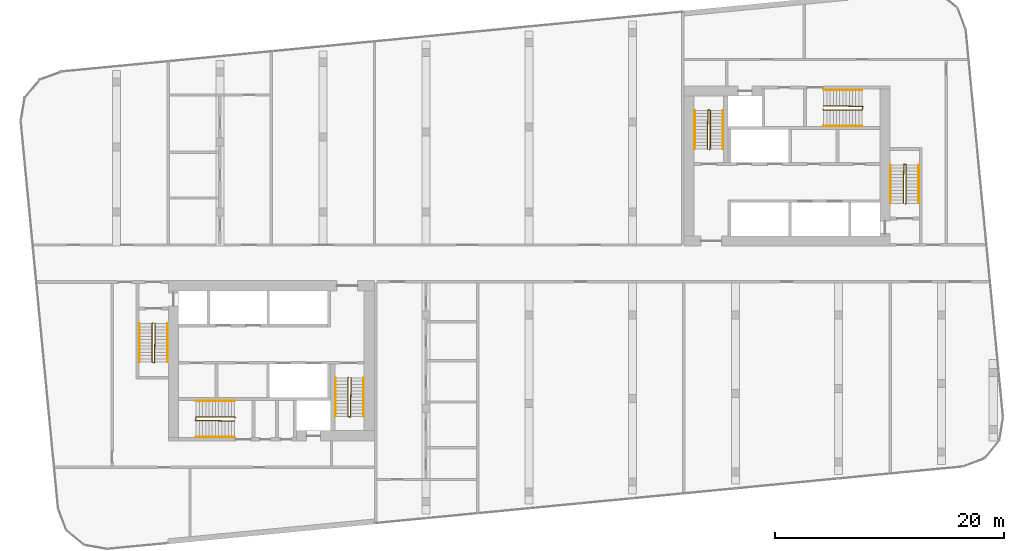
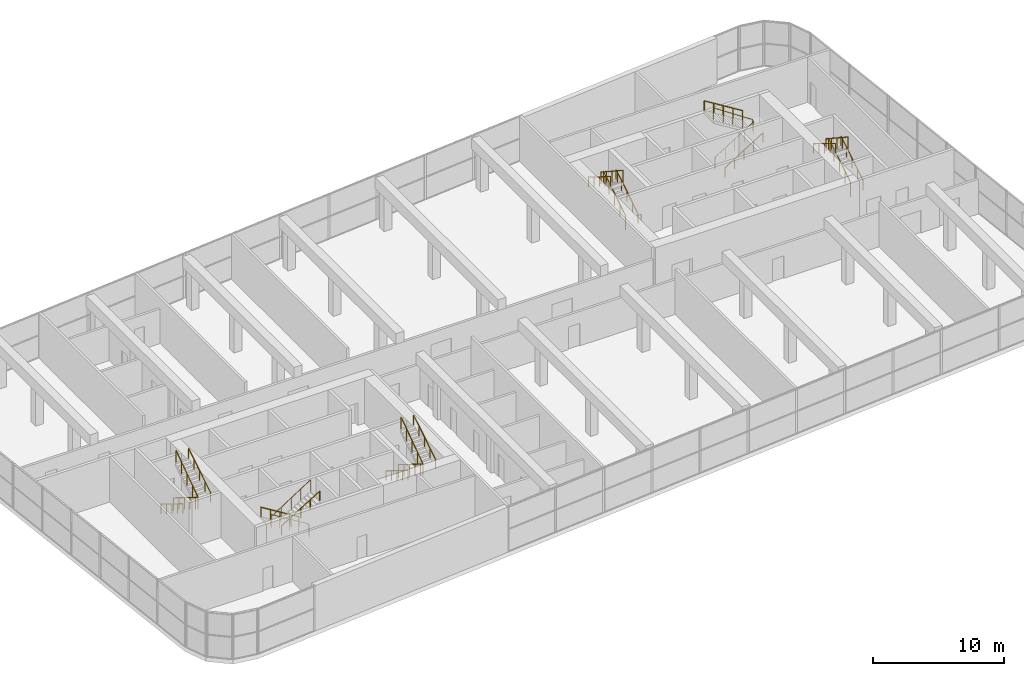
# One storey, part 21 of 21: 18 railings.
"""IFC4 building model written with IfcOpenShell, lengths in metres."""

from ifc_helpers import new_model, si_unit, direction, frame, origin, origin_2d, place, context, subcontext, project, spatial, circle, extrude, material, type_object, element, save


model = new_model("IFC4")

# Units and contexts
model_context = context("Model", 3, precision=1e-05, world=origin(), true_north=direction((0.0, 1.0)))
body_context = subcontext(model_context, "Body", "Model", "MODEL_VIEW")
ifc_project = project(units=[si_unit("LENGTHUNIT", "METRE"), si_unit("AREAUNIT", "SQUARE_METRE"), si_unit("VOLUMEUNIT", "CUBIC_METRE"), si_unit("PLANEANGLEUNIT", "RADIAN"), si_unit("MASSUNIT", "GRAM", prefix="KILO")], contexts=[model_context])

# Site, building, storey
site_placement = place(None, origin())
site = spatial("IfcSite", under=ifc_project, at=site_placement, CompositionType="ELEMENT")
building_placement = place(site_placement, origin())
building = spatial("IfcBuilding", under=site, at=building_placement, Name="Kajstack Hotel Tower", CompositionType="ELEMENT")
storey_placement = place(building_placement, frame((0.0, 0.0, 162.39990234375)))
storey = spatial("IfcBuildingStorey", under=building, at=storey_placement, Name="L37", CompositionType="ELEMENT", Elevation=162.39990234375)

# Railings
ifc_material = material(Name="Steel S355J2", Category="steel")
railing_type_1 = type_object("IfcRailingType", Name="Stair guard 1100", PredefinedType="GUARDRAIL", material=ifc_material)
railing_1_placement = place(storey_placement, frame((-32.85009765625, -5.199951171875, 0.0)))
element("IfcRailing", 1, at=railing_1_placement, inside=storey, type_object=railing_type_1, Name="L37 W1 stair guard 1", PredefinedType="GUARDRAIL", context=body_context, shape_type="SweptSolid", body=[
    extrude(circle(Radius=0.02392578125, at=origin_2d()), frame((0.0, 0.0, 1.076171875), z_axis=(-0.266417085129, -0.267723051232, 0.925929967433), x_axis=(0.708833529934, -0.705375805398, 0.0)), (0.0, 0.0, 1.0), 0.18701171875),
    extrude(circle(Radius=0.02392578125, at=origin_2d()), frame((-0.0498046875, -0.050048828125, 1.2490234375), z_axis=(0.0, -0.850623216509, 0.525775754039), x_axis=(1.0, 0.0, 0.0)), (0.0, 0.0, 1.0), 3.9501953125),
    extrude(circle(Radius=0.02392578125, at=origin_2d()), frame((-0.0498046875, -3.41015625, 3.326171875), z_axis=(0.970351222016, -0.241699205484, 0.0), x_axis=(0.241699205484, 0.970351222016, 0.0)), (0.0, 0.0, 1.0), 0.2060546875),
    extrude(circle(Radius=0.02392578125, at=origin_2d()), frame((0.150146484375, -3.4599609375, 3.326171875), z_axis=(0.012249917091, 0.834607765926, 0.550708467873), x_axis=(-0.999892303572, 0.014675873289, 0.0)), (0.0, 0.0, 1.0), 4.085693359375),
    extrude(circle(Radius=0.02099609375, at=origin_2d()), origin(), (0.0, 0.0, 1.0), 1.052001953125),
    extrude(circle(Radius=0.02099609375, at=origin_2d()), frame((-0.0498046875, -0.050048828125, 0.173095703125)), (0.0, 0.0, 1.0), 1.052001953125),
    extrude(circle(Radius=0.02099609375, at=origin_2d()), frame((-0.0498046875, -0.89013671875, 0.6923828125)), (0.0, 0.0, 1.0), 1.052001953125),
    extrude(circle(Radius=0.02099609375, at=origin_2d()), frame((-0.0498046875, -1.72998046875, 1.21142578125)), (0.0, 0.0, 1.0), 1.052001953125),
    extrude(circle(Radius=0.02099609375, at=origin_2d()), frame((-0.0498046875, -2.570068359375, 1.730712890625)), (0.0, 0.0, 1.0), 1.052001953125),
    extrude(circle(Radius=0.02099609375, at=origin_2d()), frame((-0.0498046875, -3.41015625, 2.25)), (0.0, 0.0, 1.0), 1.052001953125),
    extrude(circle(Radius=0.02099609375, at=origin_2d()), frame((0.150146484375, -3.4599609375, 2.25)), (0.0, 0.0, 1.0), 1.052001953125),
    extrude(circle(Radius=0.02099609375, at=origin_2d()), frame((0.16259765625, -2.607421875, 2.8125)), (0.0, 0.0, 1.0), 1.052001953125),
    extrude(circle(Radius=0.02099609375, at=origin_2d()), frame((0.17529296875, -1.7548828125, 3.375)), (0.0, 0.0, 1.0), 1.052001953125),
    extrude(circle(Radius=0.02099609375, at=origin_2d()), frame((0.187744140625, -0.902587890625, 3.9375)), (0.0, 0.0, 1.0), 1.052001953125),
    extrude(circle(Radius=0.02099609375, at=origin_2d()), frame((0.2001953125, -0.050048828125, 4.5)), (0.0, 0.0, 1.0), 1.052001953125),
])
railing_2_placement = place(storey_placement, frame((-15.75, -9.949951171875, 0.0)))
element("IfcRailing", 2, at=railing_2_placement, inside=storey, type_object=railing_type_1, Name="L37 W2 stair guard 1", PredefinedType="GUARDRAIL", context=body_context, shape_type="SweptSolid", body=[
    extrude(circle(Radius=0.02392578125, at=origin_2d()), frame((0.0, 0.0, 1.076171875), z_axis=(-0.267629722418, -0.267629722418, 0.925607186314), x_axis=(0.707106781187, -0.707106781187, 0.0)), (0.0, 0.0, 1.0), 0.18701171875),
    extrude(circle(Radius=0.02392578125, at=origin_2d()), frame((-0.050048828125, -0.050048828125, 1.2490234375), z_axis=(0.0, -0.850623216509, 0.525775754039), x_axis=(1.0, 0.0, 0.0)), (0.0, 0.0, 1.0), 3.9501953125),
    extrude(circle(Radius=0.02392578125, at=origin_2d()), frame((-0.050048828125, -3.41015625, 3.326171875), z_axis=(0.970351222016, -0.241699205484, 0.0), x_axis=(0.241699205484, 0.970351222016, 0.0)), (0.0, 0.0, 1.0), 0.2060546875),
    extrude(circle(Radius=0.02392578125, at=origin_2d()), frame((0.14990234375, -3.4599609375, 3.326171875), z_axis=(0.012249917091, 0.834607765926, 0.550708467873), x_axis=(-0.999892303572, 0.014675873289, 0.0)), (0.0, 0.0, 1.0), 4.085693359375),
    extrude(circle(Radius=0.02099609375, at=origin_2d()), origin(), (0.0, 0.0, 1.0), 1.052001953125),
    extrude(circle(Radius=0.02099609375, at=origin_2d()), frame((-0.050048828125, -0.050048828125, 0.173095703125)), (0.0, 0.0, 1.0), 1.052001953125),
    extrude(circle(Radius=0.02099609375, at=origin_2d()), frame((-0.050048828125, -0.89013671875, 0.6923828125)), (0.0, 0.0, 1.0), 1.052001953125),
    extrude(circle(Radius=0.02099609375, at=origin_2d()), frame((-0.050048828125, -1.72998046875, 1.21142578125)), (0.0, 0.0, 1.0), 1.052001953125),
    extrude(circle(Radius=0.02099609375, at=origin_2d()), frame((-0.050048828125, -2.570068359375, 1.730712890625)), (0.0, 0.0, 1.0), 1.052001953125),
    extrude(circle(Radius=0.02099609375, at=origin_2d()), frame((-0.050048828125, -3.41015625, 2.25)), (0.0, 0.0, 1.0), 1.052001953125),
    extrude(circle(Radius=0.02099609375, at=origin_2d()), frame((0.14990234375, -3.4599609375, 2.25)), (0.0, 0.0, 1.0), 1.052001953125),
    extrude(circle(Radius=0.02099609375, at=origin_2d()), frame((0.162353515625, -2.607421875, 2.8125)), (0.0, 0.0, 1.0), 1.052001953125),
    extrude(circle(Radius=0.02099609375, at=origin_2d()), frame((0.1748046875, -1.7548828125, 3.375)), (0.0, 0.0, 1.0), 1.052001953125),
    extrude(circle(Radius=0.02099609375, at=origin_2d()), frame((0.1875, -0.902587890625, 3.9375)), (0.0, 0.0, 1.0), 1.052001953125),
    extrude(circle(Radius=0.02099609375, at=origin_2d()), frame((0.199951171875, -0.050048828125, 4.5)), (0.0, 0.0, 1.0), 1.052001953125),
])
railing_3_placement = place(storey_placement, frame((-25.64990234375, -13.449951171875, 0.0)))
element("IfcRailing", 3, at=railing_3_placement, inside=storey, type_object=railing_type_1, Name="L37 W3 stair guard 1", PredefinedType="GUARDRAIL", context=body_context, shape_type="SweptSolid", body=[
    extrude(circle(Radius=0.02392578125, at=origin_2d()), frame((0.0, 0.0, 1.076171875), z_axis=(-0.267629722418, 0.267629722418, 0.925607186314), x_axis=(-0.707106781187, -0.707106781187, 0.0)), (0.0, 0.0, 1.0), 0.18701171875),
    extrude(circle(Radius=0.02392578125, at=origin_2d()), frame((-0.050048828125, 0.050048828125, 1.2490234375), z_axis=(-0.850623216509, 0.0, 0.525775754039), x_axis=(0.0, -1.0, 0.0)), (0.0, 0.0, 1.0), 3.9501953125),
    extrude(circle(Radius=0.02392578125, at=origin_2d()), frame((-3.41015625, 0.050048828125, 3.326171875), z_axis=(-0.164529134168, -0.986372223864, 0.0), x_axis=(0.986372223864, -0.164529134168, 0.0)), (0.0, 0.0, 1.0), 0.30419921875),
    extrude(circle(Radius=0.02392578125, at=origin_2d()), frame((-3.460205078125, -0.25, 3.326171875), z_axis=(0.834625896233, -0.01224930618, 0.5506810037), x_axis=(0.014674822837, 0.99989231899, 0.0)), (0.0, 0.0, 1.0), 4.0859375),
    extrude(circle(Radius=0.02099609375, at=origin_2d()), origin(), (0.0, 0.0, 1.0), 1.052001953125),
    extrude(circle(Radius=0.02099609375, at=origin_2d()), frame((-0.050048828125, 0.050048828125, 0.173095703125)), (0.0, 0.0, 1.0), 1.052001953125),
    extrude(circle(Radius=0.02099609375, at=origin_2d()), frame((-0.89013671875, 0.050048828125, 0.6923828125)), (0.0, 0.0, 1.0), 1.052001953125),
    extrude(circle(Radius=0.02099609375, at=origin_2d()), frame((-1.72998046875, 0.050048828125, 1.21142578125)), (0.0, 0.0, 1.0), 1.052001953125),
    extrude(circle(Radius=0.02099609375, at=origin_2d()), frame((-2.570068359375, 0.050048828125, 1.730712890625)), (0.0, 0.0, 1.0), 1.052001953125),
    extrude(circle(Radius=0.02099609375, at=origin_2d()), frame((-3.41015625, 0.050048828125, 2.25)), (0.0, 0.0, 1.0), 1.052001953125),
    extrude(circle(Radius=0.02099609375, at=origin_2d()), frame((-3.460205078125, -0.25, 2.25)), (0.0, 0.0, 1.0), 1.052001953125),
    extrude(circle(Radius=0.02099609375, at=origin_2d()), frame((-2.607666015625, -0.262451171875, 2.8125)), (0.0, 0.0, 1.0), 1.052001953125),
    extrude(circle(Radius=0.02099609375, at=origin_2d()), frame((-1.755126953125, -0.27490234375, 3.375)), (0.0, 0.0, 1.0), 1.052001953125),
    extrude(circle(Radius=0.02099609375, at=origin_2d()), frame((-0.902587890625, -0.28759765625, 3.9375)), (0.0, 0.0, 1.0), 1.052001953125),
    extrude(circle(Radius=0.02099609375, at=origin_2d()), frame((-0.050048828125, -0.300048828125, 4.5)), (0.0, 0.0, 1.0), 1.052001953125),
])
railing_4_placement = place(storey_placement, frame((32.85009765625, 5.199951171875, 0.0)))
element("IfcRailing", 4, at=railing_4_placement, inside=storey, type_object=railing_type_1, Name="L37 E1 stair guard 1", PredefinedType="GUARDRAIL", context=body_context, shape_type="SweptSolid", body=[
    extrude(circle(Radius=0.02392578125, at=origin_2d()), frame((0.0, 0.0, 1.076171875), z_axis=(0.266417085129, 0.267723051232, 0.925929967433), x_axis=(-0.708833529934, 0.705375805398, 0.0)), (0.0, 0.0, 1.0), 0.18701171875),
    extrude(circle(Radius=0.02392578125, at=origin_2d()), frame((0.0498046875, 0.050048828125, 1.2490234375), z_axis=(0.0, 0.850623216509, 0.525775754039), x_axis=(-1.0, 0.0, 0.0)), (0.0, 0.0, 1.0), 3.9501953125),
    extrude(circle(Radius=0.02392578125, at=origin_2d()), frame((0.0498046875, 3.41015625, 3.326171875), z_axis=(-0.970351222016, 0.241699205484, 0.0), x_axis=(-0.241699205484, -0.970351222016, 0.0)), (0.0, 0.0, 1.0), 0.2060546875),
    extrude(circle(Radius=0.02392578125, at=origin_2d()), frame((-0.150146484375, 3.4599609375, 3.326171875), z_axis=(-0.012249917091, -0.834607765926, 0.550708467873), x_axis=(0.999892303572, -0.014675873289, 0.0)), (0.0, 0.0, 1.0), 4.085693359375),
    extrude(circle(Radius=0.02099609375, at=origin_2d()), origin(), (0.0, 0.0, 1.0), 1.052001953125),
    extrude(circle(Radius=0.02099609375, at=origin_2d()), frame((0.0498046875, 0.050048828125, 0.173095703125)), (0.0, 0.0, 1.0), 1.052001953125),
    extrude(circle(Radius=0.02099609375, at=origin_2d()), frame((0.0498046875, 0.89013671875, 0.6923828125)), (0.0, 0.0, 1.0), 1.052001953125),
    extrude(circle(Radius=0.02099609375, at=origin_2d()), frame((0.0498046875, 1.72998046875, 1.21142578125)), (0.0, 0.0, 1.0), 1.052001953125),
    extrude(circle(Radius=0.02099609375, at=origin_2d()), frame((0.0498046875, 2.570068359375, 1.730712890625)), (0.0, 0.0, 1.0), 1.052001953125),
    extrude(circle(Radius=0.02099609375, at=origin_2d()), frame((0.0498046875, 3.41015625, 2.25)), (0.0, 0.0, 1.0), 1.052001953125),
    extrude(circle(Radius=0.02099609375, at=origin_2d()), frame((-0.150146484375, 3.4599609375, 2.25)), (0.0, 0.0, 1.0), 1.052001953125),
    extrude(circle(Radius=0.02099609375, at=origin_2d()), frame((-0.16259765625, 2.607421875, 2.8125)), (0.0, 0.0, 1.0), 1.052001953125),
    extrude(circle(Radius=0.02099609375, at=origin_2d()), frame((-0.17529296875, 1.7548828125, 3.375)), (0.0, 0.0, 1.0), 1.052001953125),
    extrude(circle(Radius=0.02099609375, at=origin_2d()), frame((-0.187744140625, 0.902587890625, 3.9375)), (0.0, 0.0, 1.0), 1.052001953125),
    extrude(circle(Radius=0.02099609375, at=origin_2d()), frame((-0.2001953125, 0.050048828125, 4.5)), (0.0, 0.0, 1.0), 1.052001953125),
])
railing_5_placement = place(storey_placement, frame((15.75, 9.949951171875, 0.0)))
element("IfcRailing", 5, at=railing_5_placement, inside=storey, type_object=railing_type_1, Name="L37 E2 stair guard 1", PredefinedType="GUARDRAIL", context=body_context, shape_type="SweptSolid", body=[
    extrude(circle(Radius=0.02392578125, at=origin_2d()), frame((0.0, 0.0, 1.076171875), z_axis=(0.267629722418, 0.267629722418, 0.925607186314), x_axis=(-0.707106781187, 0.707106781187, 0.0)), (0.0, 0.0, 1.0), 0.18701171875),
    extrude(circle(Radius=0.02392578125, at=origin_2d()), frame((0.050048828125, 0.050048828125, 1.2490234375), z_axis=(0.0, 0.850623216509, 0.525775754039), x_axis=(-1.0, 0.0, 0.0)), (0.0, 0.0, 1.0), 3.9501953125),
    extrude(circle(Radius=0.02392578125, at=origin_2d()), frame((0.050048828125, 3.41015625, 3.326171875), z_axis=(-0.970351222016, 0.241699205484, 0.0), x_axis=(-0.241699205484, -0.970351222016, 0.0)), (0.0, 0.0, 1.0), 0.2060546875),
    extrude(circle(Radius=0.02392578125, at=origin_2d()), frame((-0.14990234375, 3.4599609375, 3.326171875), z_axis=(-0.012249917091, -0.834607765926, 0.550708467873), x_axis=(0.999892303572, -0.014675873289, 0.0)), (0.0, 0.0, 1.0), 4.085693359375),
    extrude(circle(Radius=0.02099609375, at=origin_2d()), origin(), (0.0, 0.0, 1.0), 1.052001953125),
    extrude(circle(Radius=0.02099609375, at=origin_2d()), frame((0.050048828125, 0.050048828125, 0.173095703125)), (0.0, 0.0, 1.0), 1.052001953125),
    extrude(circle(Radius=0.02099609375, at=origin_2d()), frame((0.050048828125, 0.89013671875, 0.6923828125)), (0.0, 0.0, 1.0), 1.052001953125),
    extrude(circle(Radius=0.02099609375, at=origin_2d()), frame((0.050048828125, 1.72998046875, 1.21142578125)), (0.0, 0.0, 1.0), 1.052001953125),
    extrude(circle(Radius=0.02099609375, at=origin_2d()), frame((0.050048828125, 2.570068359375, 1.730712890625)), (0.0, 0.0, 1.0), 1.052001953125),
    extrude(circle(Radius=0.02099609375, at=origin_2d()), frame((0.050048828125, 3.41015625, 2.25)), (0.0, 0.0, 1.0), 1.052001953125),
    extrude(circle(Radius=0.02099609375, at=origin_2d()), frame((-0.14990234375, 3.4599609375, 2.25)), (0.0, 0.0, 1.0), 1.052001953125),
    extrude(circle(Radius=0.02099609375, at=origin_2d()), frame((-0.162353515625, 2.607421875, 2.8125)), (0.0, 0.0, 1.0), 1.052001953125),
    extrude(circle(Radius=0.02099609375, at=origin_2d()), frame((-0.1748046875, 1.7548828125, 3.375)), (0.0, 0.0, 1.0), 1.052001953125),
    extrude(circle(Radius=0.02099609375, at=origin_2d()), frame((-0.1875, 0.902587890625, 3.9375)), (0.0, 0.0, 1.0), 1.052001953125),
    extrude(circle(Radius=0.02099609375, at=origin_2d()), frame((-0.199951171875, 0.050048828125, 4.5)), (0.0, 0.0, 1.0), 1.052001953125),
])
railing_6_placement = place(storey_placement, frame((25.64990234375, 13.449951171875, 0.0)))
element("IfcRailing", 6, at=railing_6_placement, inside=storey, type_object=railing_type_1, Name="L37 E3 stair guard 1", PredefinedType="GUARDRAIL", context=body_context, shape_type="SweptSolid", body=[
    extrude(circle(Radius=0.02392578125, at=origin_2d()), frame((0.0, 0.0, 1.076171875), z_axis=(0.267629722418, -0.267629722418, 0.925607186314), x_axis=(0.707106781187, 0.707106781187, 0.0)), (0.0, 0.0, 1.0), 0.18701171875),
    extrude(circle(Radius=0.02392578125, at=origin_2d()), frame((0.050048828125, -0.050048828125, 1.2490234375), z_axis=(0.850623216509, 0.0, 0.525775754039), x_axis=(0.0, 1.0, 0.0)), (0.0, 0.0, 1.0), 3.9501953125),
    extrude(circle(Radius=0.02392578125, at=origin_2d()), frame((3.41015625, -0.050048828125, 3.326171875), z_axis=(0.164529134168, 0.986372223864, 0.0), x_axis=(-0.986372223864, 0.164529134168, 0.0)), (0.0, 0.0, 1.0), 0.30419921875),
    extrude(circle(Radius=0.02392578125, at=origin_2d()), frame((3.460205078125, 0.25, 3.326171875), z_axis=(-0.834625896233, 0.01224930618, 0.5506810037), x_axis=(-0.014674822837, -0.99989231899, 0.0)), (0.0, 0.0, 1.0), 4.0859375),
    extrude(circle(Radius=0.02099609375, at=origin_2d()), origin(), (0.0, 0.0, 1.0), 1.052001953125),
    extrude(circle(Radius=0.02099609375, at=origin_2d()), frame((0.050048828125, -0.050048828125, 0.173095703125)), (0.0, 0.0, 1.0), 1.052001953125),
    extrude(circle(Radius=0.02099609375, at=origin_2d()), frame((0.89013671875, -0.050048828125, 0.6923828125)), (0.0, 0.0, 1.0), 1.052001953125),
    extrude(circle(Radius=0.02099609375, at=origin_2d()), frame((1.72998046875, -0.050048828125, 1.21142578125)), (0.0, 0.0, 1.0), 1.052001953125),
    extrude(circle(Radius=0.02099609375, at=origin_2d()), frame((2.570068359375, -0.050048828125, 1.730712890625)), (0.0, 0.0, 1.0), 1.052001953125),
    extrude(circle(Radius=0.02099609375, at=origin_2d()), frame((3.41015625, -0.050048828125, 2.25)), (0.0, 0.0, 1.0), 1.052001953125),
    extrude(circle(Radius=0.02099609375, at=origin_2d()), frame((3.460205078125, 0.25, 2.25)), (0.0, 0.0, 1.0), 1.052001953125),
    extrude(circle(Radius=0.02099609375, at=origin_2d()), frame((2.607666015625, 0.262451171875, 2.8125)), (0.0, 0.0, 1.0), 1.052001953125),
    extrude(circle(Radius=0.02099609375, at=origin_2d()), frame((1.755126953125, 0.27490234375, 3.375)), (0.0, 0.0, 1.0), 1.052001953125),
    extrude(circle(Radius=0.02099609375, at=origin_2d()), frame((0.902587890625, 0.28759765625, 3.9375)), (0.0, 0.0, 1.0), 1.052001953125),
    extrude(circle(Radius=0.02099609375, at=origin_2d()), frame((0.050048828125, 0.300048828125, 4.5)), (0.0, 0.0, 1.0), 1.052001953125),
])
railing_type_2 = type_object("IfcRailingType", Name="Stair handrail 900", PredefinedType="HANDRAIL", material=ifc_material)
railing_7_placement = place(storey_placement, frame((-34.0, -5.25, 0.173095703125)))
element("IfcRailing", 7, at=railing_7_placement, inside=storey, type_object=railing_type_2, Name="L37 W1 stair handrail 1", PredefinedType="HANDRAIL", context=body_context, shape_type="SweptSolid", body=[
    extrude(circle(Radius=0.02392578125, at=origin_2d()), frame((0.0, 0.0, 0.8759765625), z_axis=(0.0, -0.850623216509, 0.525775754039), x_axis=(1.0, 0.0, 0.0)), (0.0, 0.0, 1.0), 3.9501953125),
    extrude(circle(Radius=0.02099609375, at=origin_2d()), origin(), (0.0, 0.0, 1.0), 0.851806640625),
    extrude(circle(Radius=0.02099609375, at=origin_2d()), frame((0.0, -0.840087890625, 0.519287109375)), (0.0, 0.0, 1.0), 0.851806640625),
    extrude(circle(Radius=0.02099609375, at=origin_2d()), frame((0.0, -1.68017578125, 1.03857421875)), (0.0, 0.0, 1.0), 0.851806640625),
    extrude(circle(Radius=0.02099609375, at=origin_2d()), frame((0.0, -2.52001953125, 1.5576171875)), (0.0, 0.0, 1.0), 0.851806640625),
    extrude(circle(Radius=0.02099609375, at=origin_2d()), frame((0.0, -3.360107421875, 2.076904296875)), (0.0, 0.0, 1.0), 0.851806640625),
])
railing_8_placement = place(storey_placement, frame((-31.550048828125, -8.610107421875, 2.423095703125)))
element("IfcRailing", 8, at=railing_8_placement, inside=storey, type_object=railing_type_2, Name="L37 W1 stair handrail 2", PredefinedType="HANDRAIL", context=body_context, shape_type="SweptSolid", body=[
    extrude(circle(Radius=0.02392578125, at=origin_2d()), frame((0.0, 0.0, 0.8759765625), z_axis=(0.0, 0.850623216509, 0.525775754039), x_axis=(-1.0, 0.0, 0.0)), (0.0, 0.0, 1.0), 3.9501953125),
    extrude(circle(Radius=0.02099609375, at=origin_2d()), origin(), (0.0, 0.0, 1.0), 0.851806640625),
    extrude(circle(Radius=0.02099609375, at=origin_2d()), frame((0.0, 0.840087890625, 0.519287109375)), (0.0, 0.0, 1.0), 0.851806640625),
    extrude(circle(Radius=0.02099609375, at=origin_2d()), frame((0.0, 1.68017578125, 1.03857421875)), (0.0, 0.0, 1.0), 0.851806640625),
    extrude(circle(Radius=0.02099609375, at=origin_2d()), frame((0.0, 2.52001953125, 1.5576171875)), (0.0, 0.0, 1.0), 0.851806640625),
    extrude(circle(Radius=0.02099609375, at=origin_2d()), frame((0.0, 3.360107421875, 2.076904296875)), (0.0, 0.0, 1.0), 0.851806640625),
])
railing_9_placement = place(storey_placement, frame((-16.89990234375, -10.0, 0.173095703125)))
element("IfcRailing", 9, at=railing_9_placement, inside=storey, type_object=railing_type_2, Name="L37 W2 stair handrail 1", PredefinedType="HANDRAIL", context=body_context, shape_type="SweptSolid", body=[
    extrude(circle(Radius=0.02392578125, at=origin_2d()), frame((0.0, 0.0, 0.8759765625), z_axis=(0.0, -0.850623216509, 0.525775754039), x_axis=(1.0, 0.0, 0.0)), (0.0, 0.0, 1.0), 3.9501953125),
    extrude(circle(Radius=0.02099609375, at=origin_2d()), origin(), (0.0, 0.0, 1.0), 0.851806640625),
    extrude(circle(Radius=0.02099609375, at=origin_2d()), frame((0.0, -0.840087890625, 0.519287109375)), (0.0, 0.0, 1.0), 0.851806640625),
    extrude(circle(Radius=0.02099609375, at=origin_2d()), frame((0.0, -1.68017578125, 1.03857421875)), (0.0, 0.0, 1.0), 0.851806640625),
    extrude(circle(Radius=0.02099609375, at=origin_2d()), frame((0.0, -2.52001953125, 1.5576171875)), (0.0, 0.0, 1.0), 0.851806640625),
    extrude(circle(Radius=0.02099609375, at=origin_2d()), frame((0.0, -3.360107421875, 2.076904296875)), (0.0, 0.0, 1.0), 0.851806640625),
])
railing_10_placement = place(storey_placement, frame((-14.449951171875, -13.360107421875, 2.423095703125)))
element("IfcRailing", 10, at=railing_10_placement, inside=storey, type_object=railing_type_2, Name="L37 W2 stair handrail 2", PredefinedType="HANDRAIL", context=body_context, shape_type="SweptSolid", body=[
    extrude(circle(Radius=0.02392578125, at=origin_2d()), frame((0.0, 0.0, 0.8759765625), z_axis=(0.0, 0.850623216509, 0.525775754039), x_axis=(-1.0, 0.0, 0.0)), (0.0, 0.0, 1.0), 3.9501953125),
    extrude(circle(Radius=0.02099609375, at=origin_2d()), origin(), (0.0, 0.0, 1.0), 0.851806640625),
    extrude(circle(Radius=0.02099609375, at=origin_2d()), frame((0.0, 0.840087890625, 0.519287109375)), (0.0, 0.0, 1.0), 0.851806640625),
    extrude(circle(Radius=0.02099609375, at=origin_2d()), frame((0.0, 1.68017578125, 1.03857421875)), (0.0, 0.0, 1.0), 0.851806640625),
    extrude(circle(Radius=0.02099609375, at=origin_2d()), frame((0.0, 2.52001953125, 1.5576171875)), (0.0, 0.0, 1.0), 0.851806640625),
    extrude(circle(Radius=0.02099609375, at=origin_2d()), frame((0.0, 3.360107421875, 2.076904296875)), (0.0, 0.0, 1.0), 0.851806640625),
])
railing_11_placement = place(storey_placement, frame((-25.699951171875, -12.0, 0.173095703125)))
element("IfcRailing", 11, at=railing_11_placement, inside=storey, type_object=railing_type_2, Name="L37 W3 stair handrail 1", PredefinedType="HANDRAIL", context=body_context, shape_type="SweptSolid", body=[
    extrude(circle(Radius=0.02392578125, at=origin_2d()), frame((0.0, 0.0, 0.8759765625), z_axis=(-0.850623216509, 0.0, 0.525775754039), x_axis=(0.0, -1.0, 0.0)), (0.0, 0.0, 1.0), 3.9501953125),
    extrude(circle(Radius=0.02099609375, at=origin_2d()), origin(), (0.0, 0.0, 1.0), 0.851806640625),
    extrude(circle(Radius=0.02099609375, at=origin_2d()), frame((-0.840087890625, 0.0, 0.519287109375)), (0.0, 0.0, 1.0), 0.851806640625),
    extrude(circle(Radius=0.02099609375, at=origin_2d()), frame((-1.68017578125, 0.0, 1.03857421875)), (0.0, 0.0, 1.0), 0.851806640625),
    extrude(circle(Radius=0.02099609375, at=origin_2d()), frame((-2.52001953125, 0.0, 1.5576171875)), (0.0, 0.0, 1.0), 0.851806640625),
    extrude(circle(Radius=0.02099609375, at=origin_2d()), frame((-3.360107421875, 0.0, 2.076904296875)), (0.0, 0.0, 1.0), 0.851806640625),
])
railing_12_placement = place(storey_placement, frame((-29.06005859375, -15.14990234375, 2.423095703125)))
element("IfcRailing", 12, at=railing_12_placement, inside=storey, type_object=railing_type_2, Name="L37 W3 stair handrail 2", PredefinedType="HANDRAIL", context=body_context, shape_type="SweptSolid", body=[
    extrude(circle(Radius=0.02392578125, at=origin_2d()), frame((0.0, 0.0, 0.8759765625), z_axis=(0.850623216509, 0.0, 0.525775754039), x_axis=(0.0, 1.0, 0.0)), (0.0, 0.0, 1.0), 3.9501953125),
    extrude(circle(Radius=0.02099609375, at=origin_2d()), origin(), (0.0, 0.0, 1.0), 0.851806640625),
    extrude(circle(Radius=0.02099609375, at=origin_2d()), frame((0.840087890625, 0.0, 0.519287109375)), (0.0, 0.0, 1.0), 0.851806640625),
    extrude(circle(Radius=0.02099609375, at=origin_2d()), frame((1.68017578125, 0.0, 1.03857421875)), (0.0, 0.0, 1.0), 0.851806640625),
    extrude(circle(Radius=0.02099609375, at=origin_2d()), frame((2.52001953125, 0.0, 1.5576171875)), (0.0, 0.0, 1.0), 0.851806640625),
    extrude(circle(Radius=0.02099609375, at=origin_2d()), frame((3.360107421875, 0.0, 2.076904296875)), (0.0, 0.0, 1.0), 0.851806640625),
])
railing_13_placement = place(storey_placement, frame((34.0, 5.25, 0.173095703125)))
element("IfcRailing", 13, at=railing_13_placement, inside=storey, type_object=railing_type_2, Name="L37 E1 stair handrail 1", PredefinedType="HANDRAIL", context=body_context, shape_type="SweptSolid", body=[
    extrude(circle(Radius=0.02392578125, at=origin_2d()), frame((0.0, 0.0, 0.8759765625), z_axis=(0.0, 0.850623216509, 0.525775754039), x_axis=(-1.0, 0.0, 0.0)), (0.0, 0.0, 1.0), 3.9501953125),
    extrude(circle(Radius=0.02099609375, at=origin_2d()), origin(), (0.0, 0.0, 1.0), 0.851806640625),
    extrude(circle(Radius=0.02099609375, at=origin_2d()), frame((0.0, 0.840087890625, 0.519287109375)), (0.0, 0.0, 1.0), 0.851806640625),
    extrude(circle(Radius=0.02099609375, at=origin_2d()), frame((0.0, 1.68017578125, 1.03857421875)), (0.0, 0.0, 1.0), 0.851806640625),
    extrude(circle(Radius=0.02099609375, at=origin_2d()), frame((0.0, 2.52001953125, 1.5576171875)), (0.0, 0.0, 1.0), 0.851806640625),
    extrude(circle(Radius=0.02099609375, at=origin_2d()), frame((0.0, 3.360107421875, 2.076904296875)), (0.0, 0.0, 1.0), 0.851806640625),
])
railing_14_placement = place(storey_placement, frame((31.550048828125, 8.610107421875, 2.423095703125)))
element("IfcRailing", 14, at=railing_14_placement, inside=storey, type_object=railing_type_2, Name="L37 E1 stair handrail 2", PredefinedType="HANDRAIL", context=body_context, shape_type="SweptSolid", body=[
    extrude(circle(Radius=0.02392578125, at=origin_2d()), frame((0.0, 0.0, 0.8759765625), z_axis=(0.0, -0.850623216509, 0.525775754039), x_axis=(1.0, 0.0, 0.0)), (0.0, 0.0, 1.0), 3.9501953125),
    extrude(circle(Radius=0.02099609375, at=origin_2d()), origin(), (0.0, 0.0, 1.0), 0.851806640625),
    extrude(circle(Radius=0.02099609375, at=origin_2d()), frame((0.0, -0.840087890625, 0.519287109375)), (0.0, 0.0, 1.0), 0.851806640625),
    extrude(circle(Radius=0.02099609375, at=origin_2d()), frame((0.0, -1.68017578125, 1.03857421875)), (0.0, 0.0, 1.0), 0.851806640625),
    extrude(circle(Radius=0.02099609375, at=origin_2d()), frame((0.0, -2.52001953125, 1.5576171875)), (0.0, 0.0, 1.0), 0.851806640625),
    extrude(circle(Radius=0.02099609375, at=origin_2d()), frame((0.0, -3.360107421875, 2.076904296875)), (0.0, 0.0, 1.0), 0.851806640625),
])
railing_15_placement = place(storey_placement, frame((16.89990234375, 10.0, 0.173095703125)))
element("IfcRailing", 15, at=railing_15_placement, inside=storey, type_object=railing_type_2, Name="L37 E2 stair handrail 1", PredefinedType="HANDRAIL", context=body_context, shape_type="SweptSolid", body=[
    extrude(circle(Radius=0.02392578125, at=origin_2d()), frame((0.0, 0.0, 0.8759765625), z_axis=(0.0, 0.850623216509, 0.525775754039), x_axis=(-1.0, 0.0, 0.0)), (0.0, 0.0, 1.0), 3.9501953125),
    extrude(circle(Radius=0.02099609375, at=origin_2d()), origin(), (0.0, 0.0, 1.0), 0.851806640625),
    extrude(circle(Radius=0.02099609375, at=origin_2d()), frame((0.0, 0.840087890625, 0.519287109375)), (0.0, 0.0, 1.0), 0.851806640625),
    extrude(circle(Radius=0.02099609375, at=origin_2d()), frame((0.0, 1.68017578125, 1.03857421875)), (0.0, 0.0, 1.0), 0.851806640625),
    extrude(circle(Radius=0.02099609375, at=origin_2d()), frame((0.0, 2.52001953125, 1.5576171875)), (0.0, 0.0, 1.0), 0.851806640625),
    extrude(circle(Radius=0.02099609375, at=origin_2d()), frame((0.0, 3.360107421875, 2.076904296875)), (0.0, 0.0, 1.0), 0.851806640625),
])
railing_16_placement = place(storey_placement, frame((14.449951171875, 13.360107421875, 2.423095703125)))
element("IfcRailing", 16, at=railing_16_placement, inside=storey, type_object=railing_type_2, Name="L37 E2 stair handrail 2", PredefinedType="HANDRAIL", context=body_context, shape_type="SweptSolid", body=[
    extrude(circle(Radius=0.02392578125, at=origin_2d()), frame((0.0, 0.0, 0.8759765625), z_axis=(0.0, -0.850623216509, 0.525775754039), x_axis=(1.0, 0.0, 0.0)), (0.0, 0.0, 1.0), 3.9501953125),
    extrude(circle(Radius=0.02099609375, at=origin_2d()), origin(), (0.0, 0.0, 1.0), 0.851806640625),
    extrude(circle(Radius=0.02099609375, at=origin_2d()), frame((0.0, -0.840087890625, 0.519287109375)), (0.0, 0.0, 1.0), 0.851806640625),
    extrude(circle(Radius=0.02099609375, at=origin_2d()), frame((0.0, -1.68017578125, 1.03857421875)), (0.0, 0.0, 1.0), 0.851806640625),
    extrude(circle(Radius=0.02099609375, at=origin_2d()), frame((0.0, -2.52001953125, 1.5576171875)), (0.0, 0.0, 1.0), 0.851806640625),
    extrude(circle(Radius=0.02099609375, at=origin_2d()), frame((0.0, -3.360107421875, 2.076904296875)), (0.0, 0.0, 1.0), 0.851806640625),
])
railing_17_placement = place(storey_placement, frame((25.699951171875, 12.0, 0.173095703125)))
element("IfcRailing", 17, at=railing_17_placement, inside=storey, type_object=railing_type_2, Name="L37 E3 stair handrail 1", PredefinedType="HANDRAIL", context=body_context, shape_type="SweptSolid", body=[
    extrude(circle(Radius=0.02392578125, at=origin_2d()), frame((0.0, 0.0, 0.8759765625), z_axis=(0.850623216509, 0.0, 0.525775754039), x_axis=(0.0, 1.0, 0.0)), (0.0, 0.0, 1.0), 3.9501953125),
    extrude(circle(Radius=0.02099609375, at=origin_2d()), origin(), (0.0, 0.0, 1.0), 0.851806640625),
    extrude(circle(Radius=0.02099609375, at=origin_2d()), frame((0.840087890625, 0.0, 0.519287109375)), (0.0, 0.0, 1.0), 0.851806640625),
    extrude(circle(Radius=0.02099609375, at=origin_2d()), frame((1.68017578125, 0.0, 1.03857421875)), (0.0, 0.0, 1.0), 0.851806640625),
    extrude(circle(Radius=0.02099609375, at=origin_2d()), frame((2.52001953125, 0.0, 1.5576171875)), (0.0, 0.0, 1.0), 0.851806640625),
    extrude(circle(Radius=0.02099609375, at=origin_2d()), frame((3.360107421875, 0.0, 2.076904296875)), (0.0, 0.0, 1.0), 0.851806640625),
])
railing_18_placement = place(storey_placement, frame((29.06005859375, 15.14990234375, 2.423095703125)))
element("IfcRailing", 18, at=railing_18_placement, inside=storey, type_object=railing_type_2, Name="L37 E3 stair handrail 2", PredefinedType="HANDRAIL", context=body_context, shape_type="SweptSolid", body=[
    extrude(circle(Radius=0.02392578125, at=origin_2d()), frame((0.0, 0.0, 0.8759765625), z_axis=(-0.850623216509, 0.0, 0.525775754039), x_axis=(0.0, -1.0, 0.0)), (0.0, 0.0, 1.0), 3.9501953125),
    extrude(circle(Radius=0.02099609375, at=origin_2d()), origin(), (0.0, 0.0, 1.0), 0.851806640625),
    extrude(circle(Radius=0.02099609375, at=origin_2d()), frame((-0.840087890625, 0.0, 0.519287109375)), (0.0, 0.0, 1.0), 0.851806640625),
    extrude(circle(Radius=0.02099609375, at=origin_2d()), frame((-1.68017578125, 0.0, 1.03857421875)), (0.0, 0.0, 1.0), 0.851806640625),
    extrude(circle(Radius=0.02099609375, at=origin_2d()), frame((-2.52001953125, 0.0, 1.5576171875)), (0.0, 0.0, 1.0), 0.851806640625),
    extrude(circle(Radius=0.02099609375, at=origin_2d()), frame((-3.360107421875, 0.0, 2.076904296875)), (0.0, 0.0, 1.0), 0.851806640625),
])

save(model, "model.ifc")
